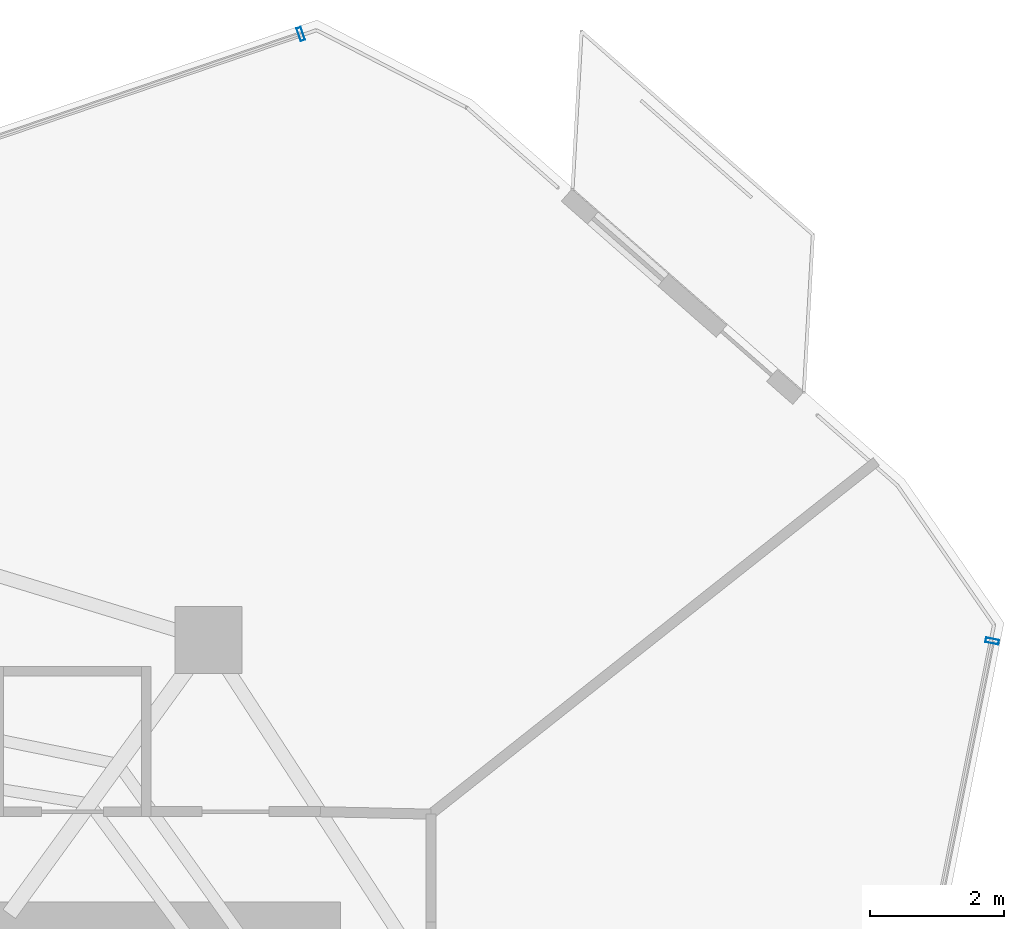
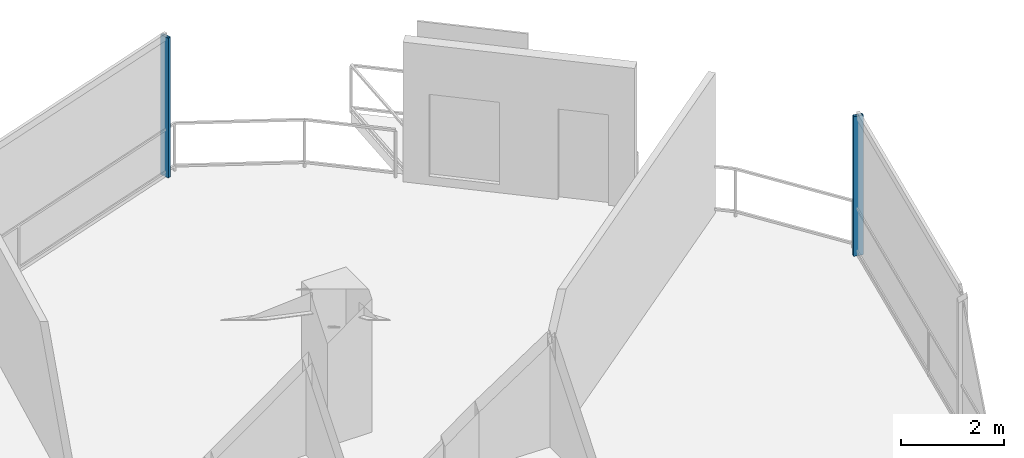
# One storey, part 14 of 20: 2 members, 2 elements without a shape of their own.
"""IFC4 building model written with IfcOpenShell, lengths in metres."""

from ifc_helpers import new_model, si_unit, direction, frame, origin, origin_2d, place, context, subcontext, project, spatial, hollow_rectangle, extrude, material, layer, layer_set, material_profile, profile_set, type_object, element, aggregate, save


model = new_model("IFC4")

# Units and contexts
model_context = context("Model", 3, precision=1e-05, world=origin(), true_north=direction((0.0, 1.0)))
body_context = subcontext(model_context, "Body", "Model", "MODEL_VIEW")
ifc_project = project(units=[si_unit("LENGTHUNIT", "METRE"), si_unit("AREAUNIT", "SQUARE_METRE"), si_unit("VOLUMEUNIT", "CUBIC_METRE"), si_unit("PLANEANGLEUNIT", "RADIAN"), si_unit("MASSUNIT", "GRAM", prefix="KILO")], contexts=[model_context])

# Site, building, storey
site_placement = place(None, origin())
site = spatial("IfcSite", under=ifc_project, at=site_placement, CompositionType="ELEMENT")
building_placement = place(site_placement, origin())
building = spatial("IfcBuilding", under=site, at=building_placement, Name="Qarnah Convention Tower", CompositionType="ELEMENT")
storey_placement = place(building_placement, frame((0.0, 0.0, 136.5)))
storey = spatial("IfcBuildingStorey", under=building, at=storey_placement, Name="L36", CompositionType="ELEMENT", Elevation=136.5)

# Curtain wall, member
ifc_material_1 = material(Name="Tempered Low-E dark glass", Category="glass")
ifc_layer = layer(ifc_material_1, 0.172119140625)
ifc_layer_set = layer_set([ifc_layer], Name="Tempered Low-E dark glass")
curtain_wall_type = type_object("IfcCurtainWallType", Name="CWS-03", PredefinedType="NOTDEFINED", material=ifc_layer_set)
curtain_wall_1_placement = place(storey_placement, origin())
curtain_wall_1 = element("IfcCurtainWall", 1, at=curtain_wall_1_placement, inside=storey, type_object=curtain_wall_type, Name="L36 unitised curtain wall CW-L36-F1", PredefinedType="NOTDEFINED")
ifc_material_2 = material(Name="Black anodised aluminium", Category="aluminium")
ifc_material_profile = material_profile(ifc_material_2, hollow_rectangle(XDim=0.070068359375, YDim=0.199951171875, WallThickness=0.0048828125, at=origin_2d()), Name="MUL-70X200")
ifc_profile_set = profile_set([ifc_material_profile], Name="Black anodised aluminium")
member_type = type_object("IfcMemberType", Name="MUL-T3", PredefinedType="MULLION", material=ifc_profile_set)
member_1_placement = place(storey_placement, frame((57.635009765625, 38.39892578125, 0.0), z_axis=(0.0, 0.0, 1.0), x_axis=(-0.195625245476, -0.980678725849, 0.0)))
member_1 = element("IfcMember", 2, at=member_1_placement, type_object=member_type, Name="CW-L36-F1 mullion 1", PredefinedType="MULLION", context=body_context, shape_type="SweptSolid", body=[
    extrude(hollow_rectangle(XDim=0.070068359375, YDim=0.199951171875, WallThickness=0.0048828125, at=origin_2d()), origin(), (0.0, 0.0, 1.0), 3.320068359375),
])
aggregate(curtain_wall_1, [member_1])

curtain_wall_2_placement = place(storey_placement, origin())
curtain_wall_2 = element("IfcCurtainWall", 3, at=curtain_wall_2_placement, inside=storey, type_object=curtain_wall_type, Name="L36 unitised curtain wall CW-L36-F3", PredefinedType="NOTDEFINED")
member_2_placement = place(storey_placement, frame((47.30810546875, 47.464111328125, 0.0), z_axis=(0.0, 0.0, 1.0), x_axis=(0.947092669717, 0.320960238921, 0.0)))
member_2 = element("IfcMember", 4, at=member_2_placement, type_object=member_type, Name="CW-L36-F3 mullion 6", PredefinedType="MULLION", context=body_context, shape_type="SweptSolid", body=[
    extrude(hollow_rectangle(XDim=0.070068359375, YDim=0.199951171875, WallThickness=0.0048828125, at=origin_2d()), origin(), (0.0, 0.0, 1.0), 3.320068359375),
])
aggregate(curtain_wall_2, [member_2])

save(model, "model.ifc")
